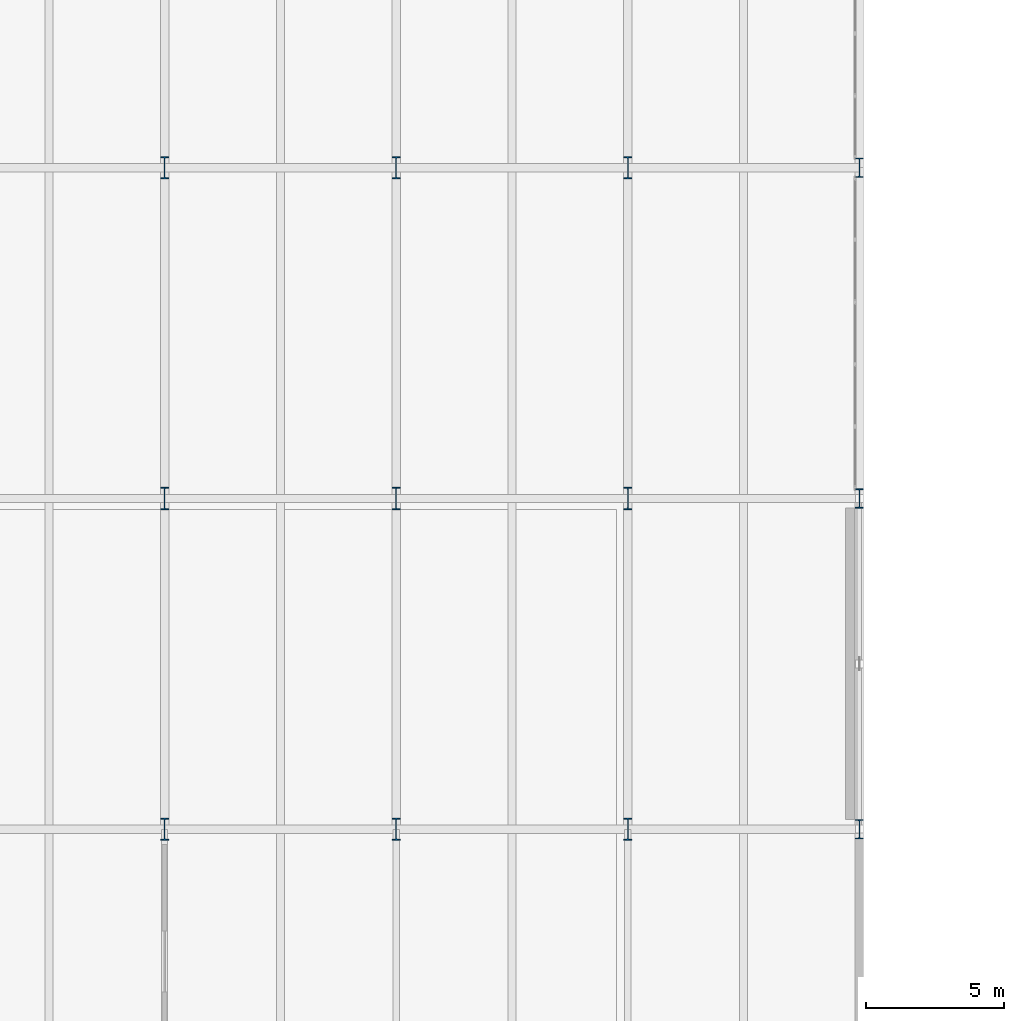
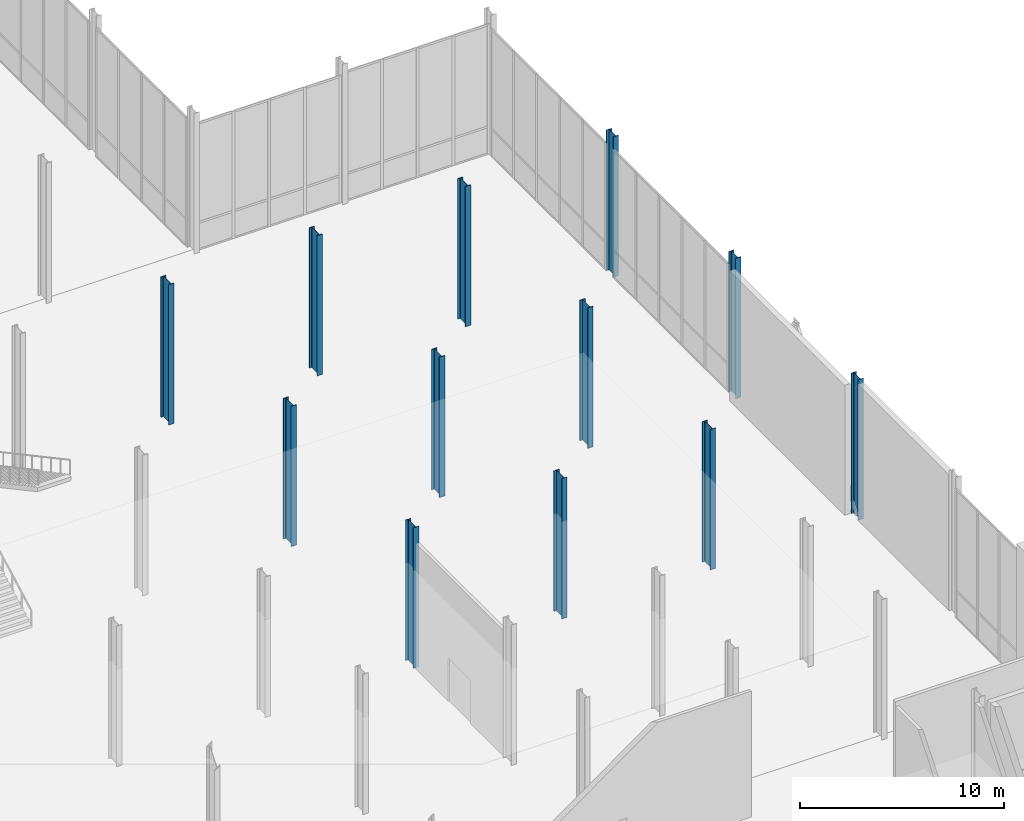
# One storey, part 7 of 131: 12 columns.
"""IFC4 building model written with IfcOpenShell, lengths in metres."""

from ifc_helpers import new_model, si_unit, direction, frame, origin, origin_2d, place, context, subcontext, project, spatial, i_section, extrude, material, material_profile, profile_set, type_object, element, save


model = new_model("IFC4")

# Units and contexts
model_context = context("Model", 3, precision=1e-05, world=origin(), true_north=direction((0.0, 1.0)))
body_context = subcontext(model_context, "Body", "Model", "MODEL_VIEW")
ifc_project = project(units=[si_unit("LENGTHUNIT", "METRE"), si_unit("AREAUNIT", "SQUARE_METRE"), si_unit("VOLUMEUNIT", "CUBIC_METRE"), si_unit("PLANEANGLEUNIT", "RADIAN"), si_unit("MASSUNIT", "GRAM", prefix="KILO")], contexts=[model_context])

# Site, building, storey
site_placement = place(None, origin())
site = spatial("IfcSite", under=ifc_project, at=site_placement, CompositionType="ELEMENT")
building_placement = place(site_placement, origin())
building = spatial("IfcBuilding", under=site, at=building_placement, Name="Veltarok Museum of Natural Sciences", CompositionType="ELEMENT")
storey_placement = place(building_placement, origin())
storey = spatial("IfcBuildingStorey", under=building, at=storey_placement, Name="L00", CompositionType="ELEMENT", Elevation=0.0)

# Columns
ifc_material = material(Name="Steel S355J2", Category="steel")
ifc_material_profile_1 = material_profile(ifc_material, i_section(OverallWidth=0.300048828125, OverallDepth=0.699951171875, WebThickness=0.01708984375, FlangeThickness=0.031982421875, FilletRadius=0.027099609375, at=origin_2d()), Name="HEB 700")
ifc_profile_set_1 = profile_set([ifc_material_profile_1], Name="Steel S355J2")
column_type_1 = type_object("IfcColumnType", Name="Perimeter Steel Column HEB 700", PredefinedType="COLUMN", material=ifc_profile_set_1)
for number, where, z_axis, x_axis, name in (
    (1, (98.800048828125, 36.0, 0.0), (0.0, 0.0, 1.0), (1.0, 0.0, 0.0), "Column COL-EXT01 L00 12/E"),
    (2, (98.800048828125, 48.0, 0.0), (0.0, 0.0, 1.0), (1.0, 0.0, 0.0), "Column COL-EXT01 L00 12/F"),
    (3, (98.800048828125, 60.0, 0.0), (0.0, 0.0, 1.0), (1.0, 0.0, 0.0), "Column COL-EXT01 L00 12/G"),
):
    element("IfcColumn", number, at=place(storey_placement, frame(where, z_axis=z_axis, x_axis=x_axis)), inside=storey, type_object=column_type_1, Name=name, PredefinedType="COLUMN", context=body_context, shape_type="SweptSolid", body=[
        extrude(i_section(OverallWidth=0.300048828125, OverallDepth=0.699951171875, WebThickness=0.01708984375, FlangeThickness=0.031982421875, FilletRadius=0.027099609375, at=origin_2d()), origin(), (0.0, 0.0, 1.0), 8.39990234375),
    ])
ifc_material_profile_2 = material_profile(ifc_material, i_section(OverallWidth=0.300048828125, OverallDepth=0.800048828125, WebThickness=0.017578125, FlangeThickness=0.032958984375, FilletRadius=0.030029296875, at=origin_2d()), Name="HEB 800")
ifc_profile_set_2 = profile_set([ifc_material_profile_2], Name="Steel S355J2")
column_type_2 = type_object("IfcColumnType", Name="Primary Frame Column HEB 800", PredefinedType="COLUMN", material=ifc_profile_set_2)
for number, where, z_axis, x_axis, name in (
    (4, (73.60009765625, 36.0, 0.0), (0.0, 0.0, 1.0), (1.0, 0.0, 0.0), "Column COL-S02 L00 9/E"),
    (5, (73.60009765625, 48.0, 0.0), (0.0, 0.0, 1.0), (1.0, 0.0, 0.0), "Column COL-S02 L00 9/F"),
    (6, (73.60009765625, 60.0, 0.0), (0.0, 0.0, 1.0), (1.0, 0.0, 0.0), "Column COL-S02 L00 9/G"),
    (7, (82.0, 36.0, 0.0), (0.0, 0.0, 1.0), (1.0, 0.0, 0.0), "Column COL-S02 L00 10/E"),
    (8, (82.0, 48.0, 0.0), (0.0, 0.0, 1.0), (1.0, 0.0, 0.0), "Column COL-S02 L00 10/F"),
    (9, (82.0, 60.0, 0.0), (0.0, 0.0, 1.0), (1.0, 0.0, 0.0), "Column COL-S02 L00 10/G"),
    (10, (90.39990234375, 36.0, 0.0), (0.0, 0.0, 1.0), (1.0, 0.0, 0.0), "Column COL-S02 L00 11/E"),
    (11, (90.39990234375, 48.0, 0.0), (0.0, 0.0, 1.0), (1.0, 0.0, 0.0), "Column COL-S02 L00 11/F"),
    (12, (90.39990234375, 60.0, 0.0), (0.0, 0.0, 1.0), (1.0, 0.0, 0.0), "Column COL-S02 L00 11/G"),
):
    element("IfcColumn", number, at=place(storey_placement, frame(where, z_axis=z_axis, x_axis=x_axis)), inside=storey, type_object=column_type_2, Name=name, PredefinedType="COLUMN", context=body_context, shape_type="SweptSolid", body=[
        extrude(i_section(OverallWidth=0.300048828125, OverallDepth=0.800048828125, WebThickness=0.017578125, FlangeThickness=0.032958984375, FilletRadius=0.030029296875, at=origin_2d()), origin(), (0.0, 0.0, 1.0), 8.39990234375),
    ])

save(model, "model.ifc")
